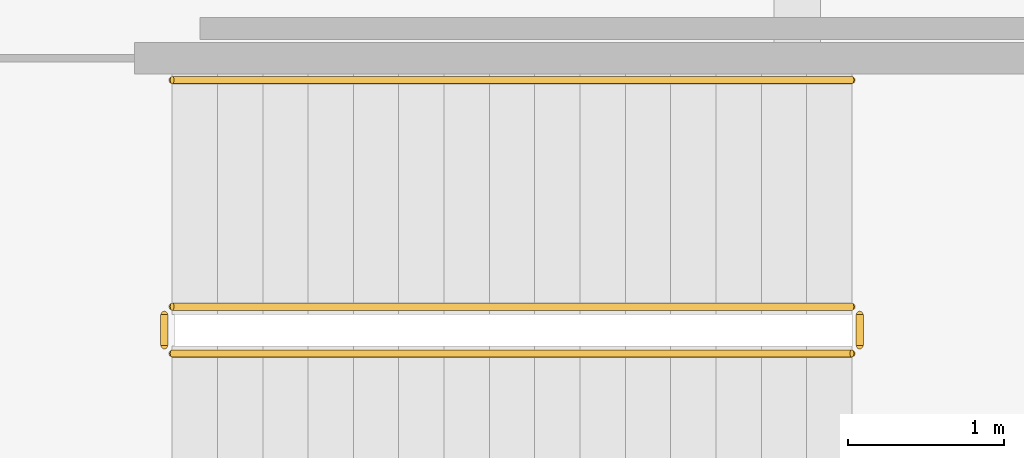
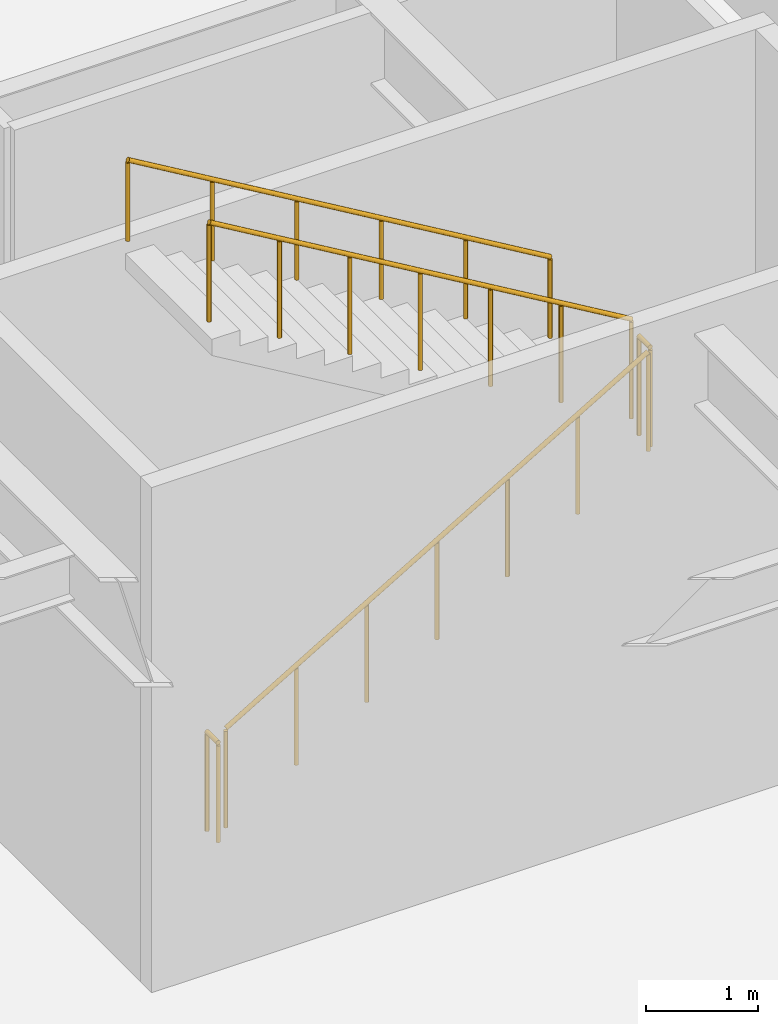
# One storey, part 17 of 17: 5 railings.
"""IFC4 building model written with IfcOpenShell, lengths in metres."""

from ifc_helpers import new_model, si_unit, direction, frame, origin, origin_2d, place, context, subcontext, project, spatial, circle, extrude, material, type_object, element, save


model = new_model("IFC4")

# Units and contexts
model_context = context("Model", 3, precision=1e-05, world=origin(), true_north=direction((0.0, 1.0)))
body_context = subcontext(model_context, "Body", "Model", "MODEL_VIEW")
ifc_project = project(units=[si_unit("LENGTHUNIT", "METRE"), si_unit("AREAUNIT", "SQUARE_METRE"), si_unit("VOLUMEUNIT", "CUBIC_METRE"), si_unit("PLANEANGLEUNIT", "RADIAN"), si_unit("MASSUNIT", "GRAM", prefix="KILO")], contexts=[model_context])

# Site, building, storey
site_placement = place(None, origin())
site = spatial("IfcSite", under=ifc_project, at=site_placement, CompositionType="ELEMENT")
building_placement = place(site_placement, origin())
building = spatial("IfcBuilding", under=site, at=building_placement, Name="Putna Gate Headquarters", CompositionType="ELEMENT")
storey_placement = place(building_placement, frame((0.0, 0.0, 6.0)))
storey = spatial("IfcBuildingStorey", under=building, at=storey_placement, Name="L01", CompositionType="ELEMENT", Elevation=6.0)

# Railings
ifc_material_1 = material(Name="Powder-coated steel stair guardrail", Category="steel")
railing_type_1 = type_object("IfcRailingType", Name="RAIL-STAIR-GUARD-1100", PredefinedType="GUARDRAIL", material=ifc_material_1)
railing_1_placement = place(storey_placement, frame((67.5, 8.300048828125, 0.171875)))
element("IfcRailing", 1, at=railing_1_placement, inside=storey, type_object=railing_type_1, Name="L01 ST3 stair guard 1", PredefinedType="GUARDRAIL", context=body_context, shape_type="SweptSolid", body=[
    extrude(circle(Radius=0.02392578125, at=origin_2d()), frame((0.0, 0.0, 1.076171875), z_axis=(0.860266436404, 0.0, 0.509844739501), x_axis=(0.0, 1.0, 0.0)), (0.0, 0.0, 1.0), 5.056640625),
    extrude(circle(Radius=0.02099609375, at=origin_2d()), origin(), (0.0, 0.0, 1.0), 1.052001953125),
    extrude(circle(Radius=0.02099609375, at=origin_2d()), frame((0.72509765625, 0.0, 0.4296875)), (0.0, 0.0, 1.0), 1.052001953125),
    extrude(circle(Radius=0.02099609375, at=origin_2d()), frame((1.449951171875, 0.0, 0.859375)), (0.0, 0.0, 1.0), 1.052001953125),
    extrude(circle(Radius=0.02099609375, at=origin_2d()), frame((2.175048828125, 0.0, 1.2890625)), (0.0, 0.0, 1.0), 1.052001953125),
    extrude(circle(Radius=0.02099609375, at=origin_2d()), frame((2.900146484375, 0.0, 1.71875)), (0.0, 0.0, 1.0), 1.052001953125),
    extrude(circle(Radius=0.02099609375, at=origin_2d()), frame((3.625, 0.0, 2.1484375)), (0.0, 0.0, 1.0), 1.052001953125),
    extrude(circle(Radius=0.02099609375, at=origin_2d()), frame((4.35009765625, 0.0, 2.578125)), (0.0, 0.0, 1.0), 1.052001953125),
])
railing_2_placement = place(storey_placement, frame((71.89990234375, 8.35009765625, 2.75)))
element("IfcRailing", 2, at=railing_2_placement, inside=storey, type_object=railing_type_1, Name="L01 ST3 stair guard 2", PredefinedType="GUARDRAIL", context=body_context, shape_type="SweptSolid", body=[
    extrude(circle(Radius=0.02392578125, at=origin_2d()), frame((0.0, 0.0, 1.076171875), z_axis=(0.0, 1.0, 0.0), x_axis=(-1.0, 0.0, 0.0)), (0.0, 0.0, 1.0), 0.199951171875),
    extrude(circle(Radius=0.02099609375, at=origin_2d()), origin(), (0.0, 0.0, 1.0), 1.052001953125),
    extrude(circle(Radius=0.02099609375, at=origin_2d()), frame((0.0, 0.199951171875, 0.0)), (0.0, 0.0, 1.0), 1.052001953125),
])
railing_3_placement = place(storey_placement, frame((71.85009765625, 8.60009765625, 2.921875)))
element("IfcRailing", 3, at=railing_3_placement, inside=storey, type_object=railing_type_1, Name="L01 ST3 stair guard 3", PredefinedType="GUARDRAIL", context=body_context, shape_type="SweptSolid", body=[
    extrude(circle(Radius=0.02392578125, at=origin_2d()), frame((0.0, 0.0, 1.076171875), z_axis=(-0.860266436404, 0.0, 0.509844739501), x_axis=(0.0, -1.0, 0.0)), (0.0, 0.0, 1.0), 5.056640625),
    extrude(circle(Radius=0.02099609375, at=origin_2d()), origin(), (0.0, 0.0, 1.0), 1.052001953125),
    extrude(circle(Radius=0.02099609375, at=origin_2d()), frame((-0.72509765625, 0.0, 0.4296875)), (0.0, 0.0, 1.0), 1.052001953125),
    extrude(circle(Radius=0.02099609375, at=origin_2d()), frame((-1.449951171875, 0.0, 0.859375)), (0.0, 0.0, 1.0), 1.052001953125),
    extrude(circle(Radius=0.02099609375, at=origin_2d()), frame((-2.175048828125, 0.0, 1.2890625)), (0.0, 0.0, 1.0), 1.052001953125),
    extrude(circle(Radius=0.02099609375, at=origin_2d()), frame((-2.900146484375, 0.0, 1.71875)), (0.0, 0.0, 1.0), 1.052001953125),
    extrude(circle(Radius=0.02099609375, at=origin_2d()), frame((-3.625, 0.0, 2.1484375)), (0.0, 0.0, 1.0), 1.052001953125),
    extrude(circle(Radius=0.02099609375, at=origin_2d()), frame((-4.35009765625, 0.0, 2.578125)), (0.0, 0.0, 1.0), 1.052001953125),
])
railing_4_placement = place(storey_placement, frame((67.449951171875, 8.35009765625, 0.0)))
element("IfcRailing", 4, at=railing_4_placement, inside=storey, type_object=railing_type_1, Name="L01 ST3 stair guard 4", PredefinedType="GUARDRAIL", context=body_context, shape_type="SweptSolid", body=[
    extrude(circle(Radius=0.02392578125, at=origin_2d()), frame((0.0, 0.0, 1.076171875), z_axis=(0.0, 1.0, 0.0), x_axis=(-1.0, 0.0, 0.0)), (0.0, 0.0, 1.0), 0.199951171875),
    extrude(circle(Radius=0.02099609375, at=origin_2d()), origin(), (0.0, 0.0, 1.0), 1.052001953125),
    extrude(circle(Radius=0.02099609375, at=origin_2d()), frame((0.0, 0.199951171875, 0.0)), (0.0, 0.0, 1.0), 1.052001953125),
])
ifc_material_2 = material(Name="Brushed stainless steel handrail", Category="steel")
railing_type_2 = type_object("IfcRailingType", Name="RAIL-STAIR-HAND-900", PredefinedType="HANDRAIL", material=ifc_material_2)
railing_5_placement = place(storey_placement, frame((71.85009765625, 10.050048828125, 2.921875)))
element("IfcRailing", 5, at=railing_5_placement, inside=storey, type_object=railing_type_2, Name="L01 ST3 stair handrail 2", PredefinedType="HANDRAIL", context=body_context, shape_type="SweptSolid", body=[
    extrude(circle(Radius=0.02392578125, at=origin_2d()), frame((0.0, 0.0, 0.8759765625), z_axis=(-0.860266436404, 0.0, 0.509844739501), x_axis=(0.0, -1.0, 0.0)), (0.0, 0.0, 1.0), 5.056640625),
    extrude(circle(Radius=0.02099609375, at=origin_2d()), origin(), (0.0, 0.0, 1.0), 0.851806640625),
    extrude(circle(Radius=0.02099609375, at=origin_2d()), frame((-0.8701171875, 0.0, 0.515625)), (0.0, 0.0, 1.0), 0.851806640625),
    extrude(circle(Radius=0.02099609375, at=origin_2d()), frame((-1.739990234375, 0.0, 1.03125)), (0.0, 0.0, 1.0), 0.851806640625),
    extrude(circle(Radius=0.02099609375, at=origin_2d()), frame((-2.610107421875, 0.0, 1.546875)), (0.0, 0.0, 1.0), 0.851806640625),
    extrude(circle(Radius=0.02099609375, at=origin_2d()), frame((-3.47998046875, 0.0, 2.0625)), (0.0, 0.0, 1.0), 0.851806640625),
    extrude(circle(Radius=0.02099609375, at=origin_2d()), frame((-4.35009765625, 0.0, 2.578125)), (0.0, 0.0, 1.0), 0.851806640625),
])

save(model, "model.ifc")
